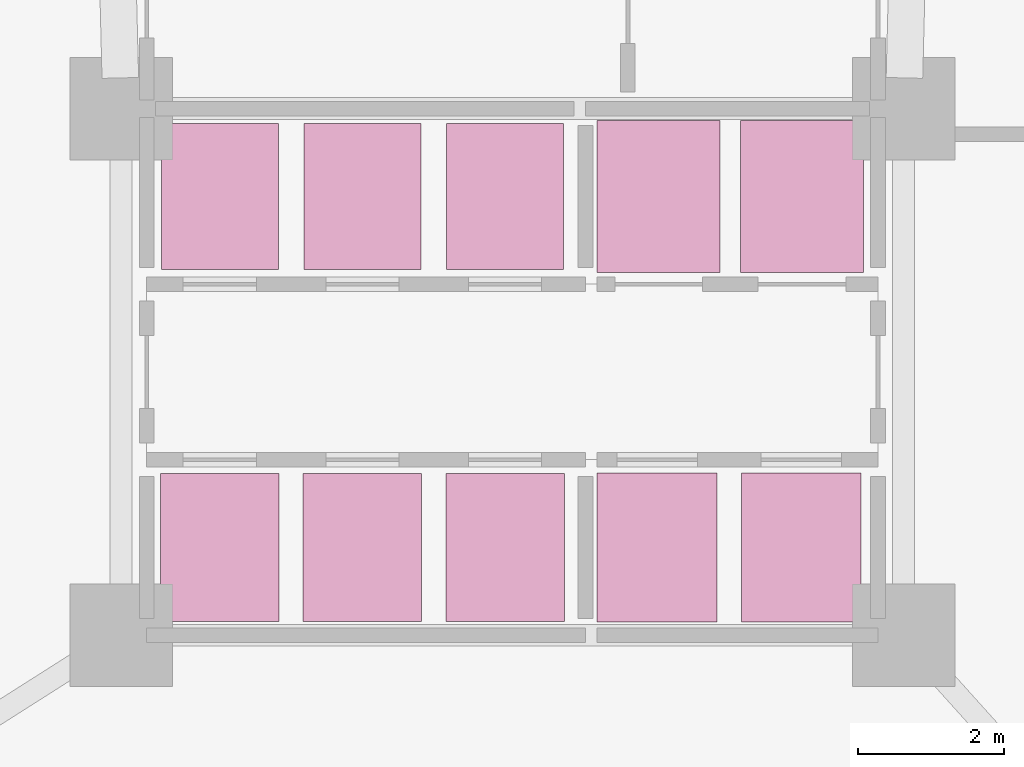
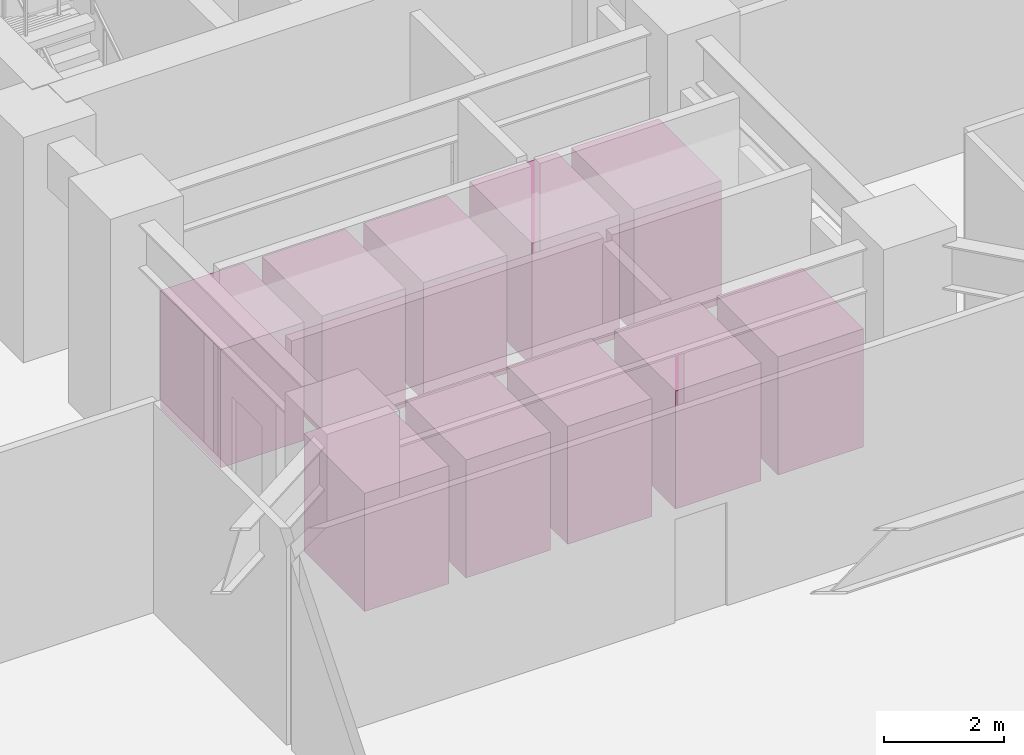
# One storey, part 23 of 23: 10 transport elements.
"""IFC4 building model written with IfcOpenShell, lengths in metres."""

import ifcopenshell
import ifcopenshell.guid

model = None  # the IFC model being written
_history = None  # IfcOwnerHistory: only IFC2X3 demands one
_inside = {}  # id of a spatial element -> (the spatial element, [elements in it])
_under = {}  # id of a project, library or spatial element -> (it, [spatial elements below it])
_declared = {}  # id of a project -> (the project, [libraries it declares])
_typed = {}  # id of a type object -> (the type object, [elements of that type])
_made_of = {}  # id of a material, layer set ... -> (it, [elements and type objects made of it])


def new_model(schema):
    """Start an empty IFC model of exactly this schema.

    Asked for "IFC4X3", IfcOpenShell would pick the latest addendum, in which some entities
    have other attributes; the version numbers below select the first issue.
    IFC2X3 requires an IfcOwnerHistory on every rooted entity: one is made here for all.
    """
    global model, _history
    if schema == "IFC4X3":
        model = ifcopenshell.file(schema_version=(4, 3, 0, 0))
    else:
        model = ifcopenshell.file(schema=schema)
    _inside.clear()
    _under.clear()
    _declared.clear()
    _typed.clear()
    _made_of.clear()
    _history = None
    if model.schema == "IFC2X3":
        org = make("IfcOrganization", Name="unknown")
        user = make(
            "IfcPersonAndOrganization",
            ThePerson=make("IfcPerson", FamilyName="unknown"),
            TheOrganization=org,
        )
        app = make(
            "IfcApplication",
            ApplicationDeveloper=org,
            Version="unknown",
            ApplicationFullName="unknown",
            ApplicationIdentifier="unknown",
        )
        _history = make(
            "IfcOwnerHistory",
            OwningUser=user,
            OwningApplication=app,
            ChangeAction="ADDED",
            CreationDate=0,
        )
    return model


def make(cls, **values):
    """One entity of the class cls with the attributes given. An attribute that is None is left unset."""
    return model.create_entity(
        cls, **{name: value for name, value in values.items() if value is not None}
    )


def rooted(cls, **values):
    """An entity with a GlobalId (a new one), such as an element, a storey or a relation."""
    return make(cls, GlobalId=ifcopenshell.guid.new(), OwnerHistory=_history, **values)


def si_unit(unit_type, name, prefix=None):
    """IfcSIUnit, for example si_unit("LENGTHUNIT", "METRE", prefix="MILLI")."""
    return make("IfcSIUnit", UnitType=unit_type, Prefix=prefix, Name=name)


def assignment(units):
    """IfcUnitAssignment: the units of a project."""
    return None if units is None else make("IfcUnitAssignment", Units=units)


def point(xyz):
    """IfcCartesianPoint."""
    return None if xyz is None else make("IfcCartesianPoint", Coordinates=xyz)


def direction(xyz):
    """IfcDirection."""
    return None if xyz is None else make("IfcDirection", DirectionRatios=xyz)


def frame(location, z_axis=None, x_axis=None):
    """IfcAxis2Placement3D, a coordinate frame: its origin and axes. An axis left out is left unset."""
    return make(
        "IfcAxis2Placement3D",
        Location=point(location),
        Axis=direction(z_axis),
        RefDirection=direction(x_axis),
    )


def frame_2d(location, x_axis=None):
    """IfcAxis2Placement2D, a coordinate frame in the plane: its origin and x axis."""
    return make(
        "IfcAxis2Placement2D", Location=point(location), RefDirection=direction(x_axis)
    )


def origin():
    """The frame at (0, 0, 0) with its axes left unset."""
    return frame((0.0, 0.0, 0.0))


def origin_2d():
    """The frame at (0, 0) in the plane with its x axis left unset."""
    return frame_2d((0.0, 0.0))


def place(relative_to, where):
    """IfcLocalPlacement: puts the frame where relative to a parent placement (None: the world)."""
    return make(
        "IfcLocalPlacement", PlacementRelTo=relative_to, RelativePlacement=where
    )


def context(
    kind, dimensions, precision=None, world=None, true_north=None, identifier=None
):
    """IfcGeometricRepresentationContext, for example the 3D "Model" context."""
    return make(
        "IfcGeometricRepresentationContext",
        ContextIdentifier=identifier,
        ContextType=kind,
        CoordinateSpaceDimension=dimensions,
        Precision=precision,
        WorldCoordinateSystem=world,
        TrueNorth=true_north,
    )


def subcontext(parent, identifier, kind, view, scale=None):
    """IfcGeometricRepresentationSubContext, for example "Body" below "Model"."""
    return make(
        "IfcGeometricRepresentationSubContext",
        ContextIdentifier=identifier,
        ContextType=kind,
        ParentContext=parent,
        TargetScale=scale,
        TargetView=view,
    )


def project(units=None, contexts=None):
    """IfcProject with its units and contexts."""
    return rooted(
        "IfcProject",
        Name="project",
        RepresentationContexts=contexts,
        UnitsInContext=assignment(units),
    )


def spatial(cls, under=None, at=None, **own):
    """A site, building, storey or space (cls), placed at a placement, below another one or the project."""
    s = rooted(cls, ObjectPlacement=at, **own)
    if under is not None:
        _under.setdefault(under.id(), (under, []))[1].append(s)
    return s


def profile(cls, at=None, kind="AREA", **sizes):
    """A parametric profile (cls). Its sizes go by their IFC names, for example OverallWidth=200.0."""
    return make(cls, ProfileType=kind, Position=at, **sizes)


def rectangle(**sizes):
    """IfcRectangleProfileDef."""
    return profile("IfcRectangleProfileDef", **sizes)


def extrude(swept, where, along, depth):
    """IfcExtrudedAreaSolid: the profile swept, set in the frame where, extruded along a direction by depth."""
    return make(
        "IfcExtrudedAreaSolid",
        SweptArea=swept,
        Position=where,
        ExtrudedDirection=direction(along),
        Depth=depth,
    )


def shape(context_of_items, identifier, shape_type, items):
    """IfcShapeRepresentation: the items that make up one representation, for example the "Body"."""
    return make(
        "IfcShapeRepresentation",
        ContextOfItems=context_of_items,
        RepresentationIdentifier=identifier,
        RepresentationType=shape_type,
        Items=items,
    )


def material(Name=None, Category=None):
    """IfcMaterial."""
    return make("IfcMaterial", Name=Name, Category=Category)


def made_of(thing, what):
    """Note that an element or type object is made of a material, layer set ...; save() writes the relation."""
    if what is not None:
        _made_of.setdefault(what.id(), (what, []))[1].append(thing)
    return thing


def type_object(cls, material=None, **own):
    """A type object (cls), such as IfcWallType, which elements share."""
    return made_of(rooted(cls, **own), material)


def element(
    cls,
    number,
    at=None,
    inside=None,
    cuts=None,
    type_object=None,
    material=None,
    context=None,
    identifier="Body",
    shape_type=None,
    held_by="IfcProductDefinitionShape",
    body=None,
    shapes=None,
    **own,
):
    """One element of the class cls, such as IfcWall. Its Tag is "e" and its number.

    at: its placement. inside: the storey or other place that contains it. cuts: it is an
    opening in that element (IfcRelVoidsElement). A single representation is given by context,
    identifier, shape_type and body (its items); several are given by shapes. held_by: the class
    of the entity that holds the representations. save() writes the other relations.
    """
    e = rooted(cls, Tag="e%d" % number, ObjectPlacement=at, **own)
    if body is not None:
        shapes = [shape(context, identifier, shape_type, body)]
    if shapes is not None:
        e.Representation = make(held_by, Representations=shapes)
    if inside is not None:
        _inside.setdefault(inside.id(), (inside, []))[1].append(e)
    if cuts is not None:
        rooted(
            "IfcRelVoidsElement", RelatingBuildingElement=cuts, RelatedOpeningElement=e
        )
    if type_object is not None:
        _typed.setdefault(type_object.id(), (type_object, []))[1].append(e)
    return made_of(e, material)


def aggregate(whole, parts):
    """IfcRelAggregates: a whole, such as a stair, and the parts it consists of."""
    return rooted("IfcRelAggregates", RelatingObject=whole, RelatedObjects=parts)


def save(model, path):
    """Write the relations noted so far, then the file.

    IfcRelAggregates (storeys below a building ...), IfcRelContainedInSpatialStructure (elements
    in a storey), IfcRelDefinesByType, IfcRelAssociatesMaterial and IfcRelDeclares: one each for
    every whole, place, type object, material and project.
    """
    for whole, parts in _under.values():
        aggregate(whole, parts)
    for where, things in _inside.values():
        rooted(
            "IfcRelContainedInSpatialStructure",
            RelatedElements=things,
            RelatingStructure=where,
        )
    for kind, things in _typed.values():
        rooted("IfcRelDefinesByType", RelatedObjects=things, RelatingType=kind)
    for what, things in _made_of.values():
        rooted("IfcRelAssociatesMaterial", RelatedObjects=things, RelatingMaterial=what)
    for by, libraries in _declared.values():
        rooted("IfcRelDeclares", RelatingContext=by, RelatedDefinitions=libraries)
    model.write(path)


model = new_model("IFC4")

# Units and contexts
model_context = context("Model", 3, precision=1e-05, world=origin(), true_north=direction((0.0, 1.0)))
body_context = subcontext(model_context, "Body", "Model", "MODEL_VIEW")
ifc_project = project(units=[si_unit("LENGTHUNIT", "METRE"), si_unit("AREAUNIT", "SQUARE_METRE"), si_unit("VOLUMEUNIT", "CUBIC_METRE"), si_unit("PLANEANGLEUNIT", "RADIAN"), si_unit("MASSUNIT", "GRAM", prefix="KILO")], contexts=[model_context])

# Site, building, storey
site_placement = place(None, origin())
site = spatial("IfcSite", under=ifc_project, at=site_placement, CompositionType="ELEMENT")
building_placement = place(site_placement, origin())
building = spatial("IfcBuilding", under=site, at=building_placement, Name="Varnakorn Sky Granary", CompositionType="ELEMENT")
storey_placement = place(building_placement, origin())
storey = spatial("IfcBuildingStorey", under=building, at=storey_placement, Name="L00", CompositionType="ELEMENT", Elevation=0.0)

# Transport elements
ifc_material = material(Name="Brushed Bronze Stainless Steel", Category="steel")
transport_element_type_1 = type_object("IfcTransportElementType", Name="LF-OBS-1800", PredefinedType="ELEVATOR", material=ifc_material)
for number, where, z_axis, x_axis, name in (
    (1, (5.0, -0.60009765625, 0.0), (0.0, 0.0, 1.0), (1.0, 0.0, 0.0), "Passenger Elevator EL-OBS1"),
    (2, (6.9599609375, -0.60009765625, 0.0), (0.0, 0.0, 1.0), (1.0, 0.0, 0.0), "Passenger Elevator EL-OBS2"),
):
    element("IfcTransportElement", number, at=place(storey_placement, frame(where, z_axis=z_axis, x_axis=x_axis)), inside=storey, type_object=transport_element_type_1, Name=name, PredefinedType="ELEVATOR", context=body_context, shape_type="SweptSolid", body=[
        extrude(rectangle(XDim=1.679931640625, YDim=2.080078125, at=origin_2d()), origin(), (0.0, 0.0, 1.0), 2.5),
    ])
transport_element_type_2 = type_object("IfcTransportElementType", Name="LF-PAX-H", PredefinedType="ELEVATOR", material=ifc_material)
for number, where, z_axis, x_axis, name in (
    (3, (4.97998046875, -5.39990234375, 0.0), (0.0, 0.0, 1.0), (1.0, 0.0, 0.0), "Passenger Elevator PL-H1"),
    (4, (6.949951171875, -5.39990234375, 0.0), (0.0, 0.0, 1.0), (1.0, 0.0, 0.0), "Passenger Elevator PL-H2"),
):
    element("IfcTransportElement", number, at=place(storey_placement, frame(where, z_axis=z_axis, x_axis=x_axis)), inside=storey, type_object=transport_element_type_2, Name=name, PredefinedType="ELEVATOR", context=body_context, shape_type="SweptSolid", body=[
        extrude(rectangle(XDim=1.639892578125, YDim=2.0400390625, at=origin_2d()), origin(), (0.0, 0.0, 1.0), 2.39990234375),
    ])
transport_element_type_3 = type_object("IfcTransportElementType", Name="LF-PAX-L", PredefinedType="ELEVATOR", material=ifc_material)
for number, where, z_axis, x_axis, name in (
    (5, (-1.0, -0.60009765625, 0.0), (0.0, 0.0, 1.0), (1.0, 0.0, 0.0), "Passenger Elevator PL-L1"),
    (6, (0.949951171875, -0.60009765625, 0.0), (0.0, 0.0, 1.0), (1.0, 0.0, 0.0), "Passenger Elevator PL-L2"),
    (7, (2.89990234375, -0.60009765625, 0.0), (0.0, 0.0, 1.0), (1.0, 0.0, 0.0), "Passenger Elevator PL-L3"),
):
    element("IfcTransportElement", number, at=place(storey_placement, frame(where, z_axis=z_axis, x_axis=x_axis)), inside=storey, type_object=transport_element_type_3, Name=name, PredefinedType="ELEVATOR", context=body_context, shape_type="SweptSolid", body=[
        extrude(rectangle(XDim=1.60009765625, YDim=2.0, at=origin_2d()), origin(), (0.0, 0.0, 1.0), 2.39990234375),
    ])
transport_element_type_4 = type_object("IfcTransportElementType", Name="LF-PAX-M", PredefinedType="ELEVATOR", material=ifc_material)
for number, where, z_axis, x_axis, name in (
    (8, (-1.0, -5.39990234375, 0.0), (0.0, 0.0, 1.0), (1.0, 0.0, 0.0), "Passenger Elevator PL-M1"),
    (9, (0.949951171875, -5.39990234375, 0.0), (0.0, 0.0, 1.0), (1.0, 0.0, 0.0), "Passenger Elevator PL-M2"),
    (10, (2.89990234375, -5.39990234375, 0.0), (0.0, 0.0, 1.0), (1.0, 0.0, 0.0), "Passenger Elevator PL-M3"),
):
    element("IfcTransportElement", number, at=place(storey_placement, frame(where, z_axis=z_axis, x_axis=x_axis)), inside=storey, type_object=transport_element_type_4, Name=name, PredefinedType="ELEVATOR", context=body_context, shape_type="SweptSolid", body=[
        extrude(rectangle(XDim=1.6201171875, YDim=2.02001953125, at=origin_2d()), origin(), (0.0, 0.0, 1.0), 2.39990234375),
    ])

save(model, "model.ifc")
